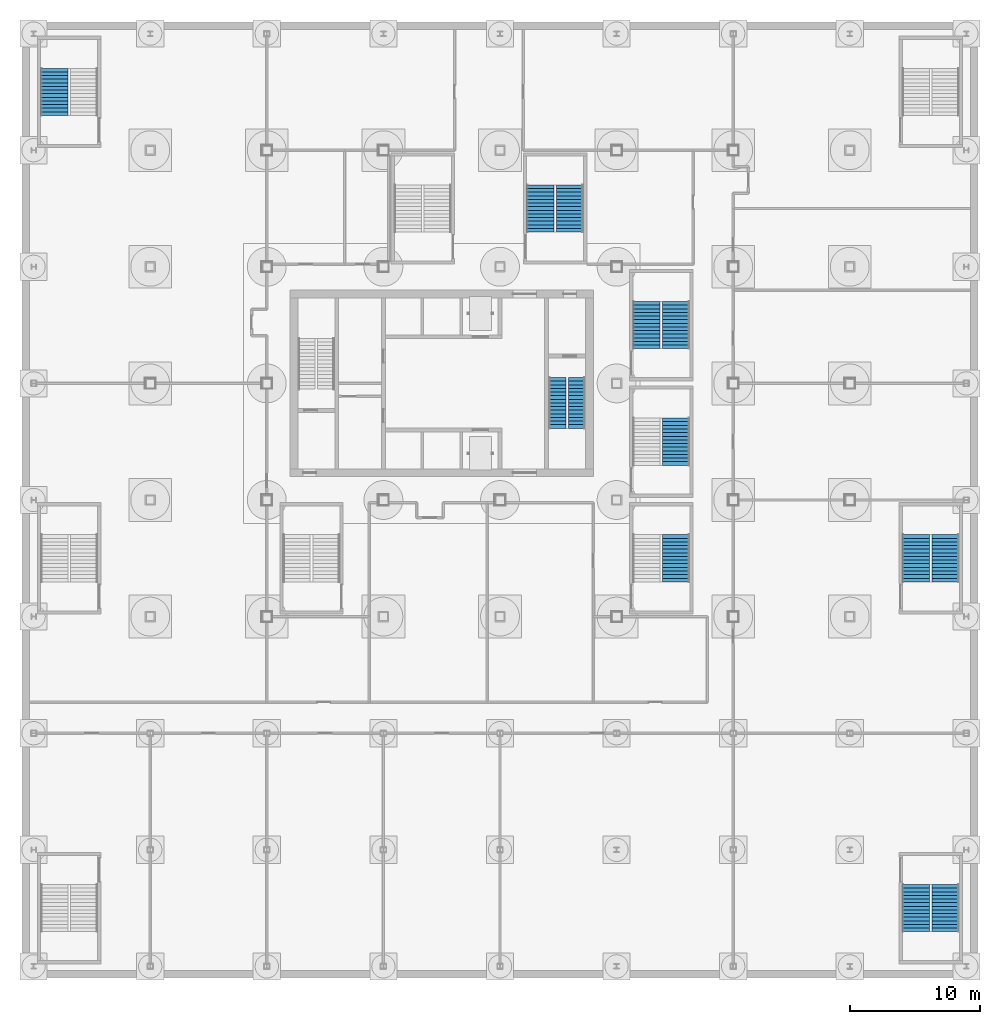
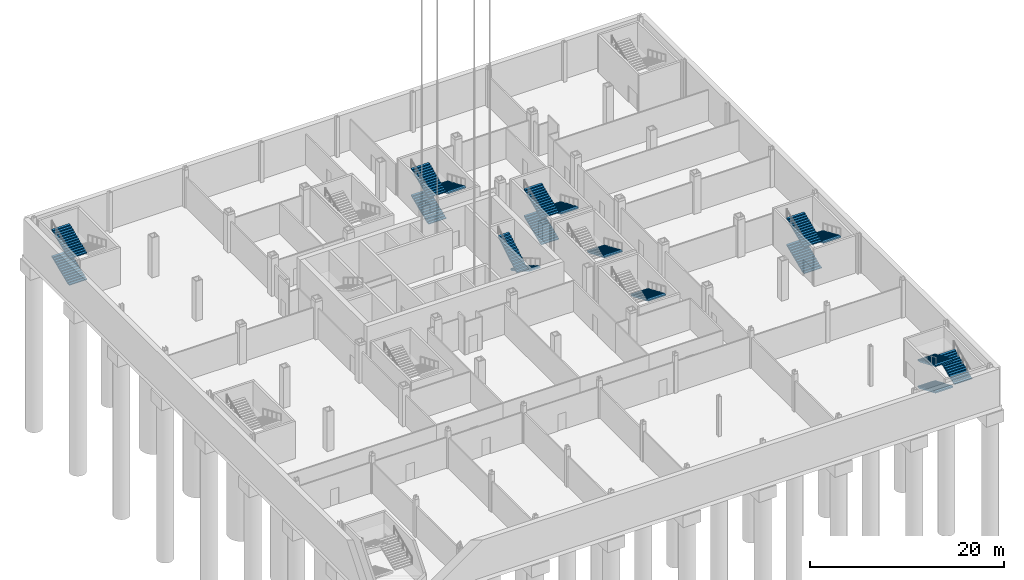
# One storey, part 14 of 28: 18 stair flights, 8 elements without a shape of their own.
"""IFC4 building model written with IfcOpenShell, lengths in metres."""

from ifc_helpers import new_model, si_unit, direction, frame, origin, place, context, subcontext, project, spatial, polyline, outline, extrude, material, type_object, element, aggregate, save


model = new_model("IFC4")

# Units and contexts
model_context = context("Model", 3, precision=1e-05, world=origin(), true_north=direction((0.0, 1.0)))
body_context = subcontext(model_context, "Body", "Model", "MODEL_VIEW")
ifc_project = project(units=[si_unit("LENGTHUNIT", "METRE"), si_unit("AREAUNIT", "SQUARE_METRE"), si_unit("VOLUMEUNIT", "CUBIC_METRE"), si_unit("PLANEANGLEUNIT", "RADIAN"), si_unit("MASSUNIT", "GRAM", prefix="KILO")], contexts=[model_context])

# Site, building, storey
site_placement = place(None, origin())
site = spatial("IfcSite", under=ifc_project, at=site_placement, CompositionType="ELEMENT")
building_placement = place(site_placement, origin())
building = spatial("IfcBuilding", under=site, at=building_placement, Name="Loomwork Tower", CompositionType="ELEMENT")
storey_placement = place(building_placement, frame((0.0, 0.0, -10.5)))
storey = spatial("IfcBuildingStorey", under=building, at=storey_placement, Name="B2", CompositionType="ELEMENT", Elevation=-10.5)

# Stair, stair flights
ifc_material_1 = material(Name="Concrete 5000 psi (34 MPa) precast stair", Category="concrete")
stair_type_1 = type_object("IfcStairType", Name="Stair ST-B 30 risers 2850 wide", PredefinedType="HALF_TURN_STAIR", material=ifc_material_1)
stair_1_placement = place(storey_placement, origin())
stair_1 = element("IfcStair", 1, at=stair_1_placement, inside=storey, type_object=stair_type_1, Name="Stair B B2", PredefinedType="HALF_TURN_STAIR")
ifc_material_2 = material(Name="Concrete 5000 psi (34 MPa) precast stair", Category="concrete")
stair_flight_type_1 = type_object("IfcStairFlightType", Name="Stair flight ST-B 15 risers 1300 wide", PredefinedType="STRAIGHT", material=ifc_material_2)
stair_flight_1_placement = place(storey_placement, frame((32.925048828125, 18.449951171875, 0.0), z_axis=(0.0, 0.0, 1.0), x_axis=(0.0, -1.0, 0.0)))
stair_flight_1 = element("IfcStairFlight", 2, at=stair_flight_1_placement, type_object=stair_flight_type_1, Name="ST-B flight 1", NumberOfRisers=15, NumberOfTreads=14, PredefinedType="STRAIGHT", RiserHeight=0.166666667, TreadLength=0.28, context=body_context, shape_type="SweptSolid", body=[
    extrude(outline(polyline([(0.0, 0.0), (0.0, 0.166748046875), (0.280029296875, 0.166748046875), (0.280029296875, 0.333251953125), (0.56005859375, 0.333251953125), (0.56005859375, 0.5), (0.840087890625, 0.5), (0.840087890625, 0.666748046875), (1.1201171875, 0.666748046875), (1.1201171875, 0.833251953125), (1.39990234375, 0.833251953125), (1.39990234375, 1.0), (1.679931640625, 1.0), (1.679931640625, 1.166748046875), (1.9599609375, 1.166748046875), (1.9599609375, 1.333251953125), (2.239990234375, 1.333251953125), (2.239990234375, 1.5), (2.52001953125, 1.5), (2.52001953125, 1.666748046875), (2.800048828125, 1.666748046875), (2.800048828125, 1.833251953125), (3.080078125, 1.833251953125), (3.080078125, 2.0), (3.360107421875, 2.0), (3.360107421875, 2.166748046875), (3.639892578125, 2.166748046875), (3.639892578125, 2.333251953125), (3.919921875, 2.333251953125), (3.919921875, 2.5), (3.919921875, 2.158935546875), (0.29296875, 0.0), (0.0, 0.0)])), frame((0.0, 0.64990234375, 0.0), z_axis=(0.0, -1.0, 0.0), x_axis=(1.0, 0.0, 0.0)), (0.0, 0.0, 1.0), 1.300048828125),
])
stair_flight_2_placement = place(storey_placement, frame((31.425048828125, 14.530029296875, 2.5), z_axis=(0.0, 0.0, 1.0), x_axis=(0.0, 1.0, 0.0)))
stair_flight_2 = element("IfcStairFlight", 3, at=stair_flight_2_placement, type_object=stair_flight_type_1, Name="ST-B flight 2", NumberOfRisers=15, NumberOfTreads=14, PredefinedType="STRAIGHT", RiserHeight=0.166666667, TreadLength=0.28, context=body_context, shape_type="SweptSolid", body=[
    extrude(outline(polyline([(0.0, 0.0), (0.0, 0.166748046875), (0.280029296875, 0.166748046875), (0.280029296875, 0.333251953125), (0.56005859375, 0.333251953125), (0.56005859375, 0.5), (0.840087890625, 0.5), (0.840087890625, 0.666748046875), (1.1201171875, 0.666748046875), (1.1201171875, 0.833251953125), (1.39990234375, 0.833251953125), (1.39990234375, 1.0), (1.679931640625, 1.0), (1.679931640625, 1.166748046875), (1.9599609375, 1.166748046875), (1.9599609375, 1.333251953125), (2.239990234375, 1.333251953125), (2.239990234375, 1.5), (2.52001953125, 1.5), (2.52001953125, 1.666748046875), (2.800048828125, 1.666748046875), (2.800048828125, 1.833251953125), (3.080078125, 1.833251953125), (3.080078125, 2.0), (3.360107421875, 2.0), (3.360107421875, 2.166748046875), (3.639892578125, 2.166748046875), (3.639892578125, 2.333251953125), (3.919921875, 2.333251953125), (3.919921875, 2.5), (3.919921875, 2.158935546875), (0.29296875, 0.0), (0.0, 0.0)])), frame((0.0, 0.64990234375, 0.0), z_axis=(0.0, -1.0, 0.0), x_axis=(1.0, 0.0, 0.0)), (0.0, 0.0, 1.0), 1.300048828125),
])
aggregate(stair_1, [stair_flight_1, stair_flight_2])

ifc_material_3 = material(Name="Concrete 5000 psi (34 MPa) precast stair", Category="concrete")
stair_type_2 = type_object("IfcStairType", Name="Stair ST-S11P 42 risers of 119 4400 wide", PredefinedType="HALF_TURN_STAIR", material=ifc_material_3)
stair_2_placement = place(storey_placement, origin())
stair_2 = element("IfcStair", 4, at=stair_2_placement, inside=storey, type_object=stair_type_2, Name="Podium stair PS11 B2", PredefinedType="HALF_TURN_STAIR")
ifc_material_4 = material(Name="Concrete 5000 psi (34 MPa) precast stair", Category="concrete")
stair_flight_type_2 = type_object("IfcStairFlightType", Name="Stair flight ST-S11P 14 risers of 119 2100 wide", PredefinedType="STRAIGHT", material=ifc_material_4)
stair_flight_3_placement = place(storey_placement, frame((30.10009765625, 29.679931640625, 0.0), z_axis=(0.0, 0.0, 1.0), x_axis=(0.0, 1.0, 0.0)))
stair_flight_3 = element("IfcStairFlight", 5, at=stair_flight_3_placement, type_object=stair_flight_type_2, Name="ST-S11P flight 1", NumberOfRisers=14, NumberOfTreads=13, PredefinedType="STRAIGHT", RiserHeight=0.119047619, TreadLength=0.28, context=body_context, shape_type="SweptSolid", body=[
    extrude(outline(polyline([(0.0, 0.0), (0.0, 0.119140625), (0.280029296875, 0.119140625), (0.280029296875, 0.238037109375), (0.56005859375, 0.238037109375), (0.56005859375, 0.357177734375), (0.840087890625, 0.357177734375), (0.840087890625, 0.47607421875), (1.1201171875, 0.47607421875), (1.1201171875, 0.59521484375), (1.39990234375, 0.59521484375), (1.39990234375, 0.71435546875), (1.679931640625, 0.71435546875), (1.679931640625, 0.833251953125), (1.9599609375, 0.833251953125), (1.9599609375, 0.952392578125), (2.239990234375, 0.952392578125), (2.239990234375, 1.071533203125), (2.52001953125, 1.071533203125), (2.52001953125, 1.1904296875), (2.800048828125, 1.1904296875), (2.800048828125, 1.3095703125), (3.080078125, 1.3095703125), (3.080078125, 1.428466796875), (3.360107421875, 1.428466796875), (3.360107421875, 1.547607421875), (3.639892578125, 1.547607421875), (3.639892578125, 1.666748046875), (3.639892578125, 1.384765625), (0.383056640625, 0.0), (0.0, 0.0)])), frame((0.0, 1.050048828125, 0.0), z_axis=(0.0, -1.0, 0.0), x_axis=(1.0, 0.0, 0.0)), (0.0, 0.0, 1.0), 2.10009765625),
])
stair_flight_4_placement = place(storey_placement, frame((32.39990234375, 33.320068359375, 1.666748046875), z_axis=(0.0, 0.0, 1.0), x_axis=(0.0, -1.0, 0.0)))
stair_flight_4 = element("IfcStairFlight", 6, at=stair_flight_4_placement, type_object=stair_flight_type_2, Name="ST-S11P flight 2", NumberOfRisers=14, NumberOfTreads=13, PredefinedType="STRAIGHT", RiserHeight=0.119047619, TreadLength=0.28, context=body_context, shape_type="SweptSolid", body=[
    extrude(outline(polyline([(0.0, 0.0), (0.0, 0.119140625), (0.280029296875, 0.119140625), (0.280029296875, 0.238037109375), (0.56005859375, 0.238037109375), (0.56005859375, 0.357177734375), (0.840087890625, 0.357177734375), (0.840087890625, 0.47607421875), (1.1201171875, 0.47607421875), (1.1201171875, 0.59521484375), (1.39990234375, 0.59521484375), (1.39990234375, 0.71435546875), (1.679931640625, 0.71435546875), (1.679931640625, 0.833251953125), (1.9599609375, 0.833251953125), (1.9599609375, 0.952392578125), (2.239990234375, 0.952392578125), (2.239990234375, 1.071533203125), (2.52001953125, 1.071533203125), (2.52001953125, 1.1904296875), (2.800048828125, 1.1904296875), (2.800048828125, 1.3095703125), (3.080078125, 1.3095703125), (3.080078125, 1.428466796875), (3.360107421875, 1.428466796875), (3.360107421875, 1.547607421875), (3.639892578125, 1.547607421875), (3.639892578125, 1.666748046875), (3.639892578125, 1.384765625), (0.383056640625, 0.0), (0.0, 0.0)])), frame((0.0, 1.050048828125, 0.0), z_axis=(0.0, -1.0, 0.0), x_axis=(1.0, 0.0, 0.0)), (0.0, 0.0, 1.0), 2.10009765625),
])
stair_flight_5_placement = place(storey_placement, frame((30.10009765625, 29.679931640625, 3.333251953125), z_axis=(0.0, 0.0, 1.0), x_axis=(0.0, 1.0, 0.0)))
stair_flight_5 = element("IfcStairFlight", 7, at=stair_flight_5_placement, type_object=stair_flight_type_2, Name="ST-S11P flight 3", NumberOfRisers=14, NumberOfTreads=13, PredefinedType="STRAIGHT", RiserHeight=0.119047619, TreadLength=0.28, context=body_context, shape_type="SweptSolid", body=[
    extrude(outline(polyline([(0.0, 0.0), (0.0, 0.119140625), (0.280029296875, 0.119140625), (0.280029296875, 0.238037109375), (0.56005859375, 0.238037109375), (0.56005859375, 0.357177734375), (0.840087890625, 0.357177734375), (0.840087890625, 0.47607421875), (1.1201171875, 0.47607421875), (1.1201171875, 0.59521484375), (1.39990234375, 0.59521484375), (1.39990234375, 0.71435546875), (1.679931640625, 0.71435546875), (1.679931640625, 0.833251953125), (1.9599609375, 0.833251953125), (1.9599609375, 0.952392578125), (2.239990234375, 0.952392578125), (2.239990234375, 1.071533203125), (2.52001953125, 1.071533203125), (2.52001953125, 1.1904296875), (2.800048828125, 1.1904296875), (2.800048828125, 1.3095703125), (3.080078125, 1.3095703125), (3.080078125, 1.428466796875), (3.360107421875, 1.428466796875), (3.360107421875, 1.547607421875), (3.639892578125, 1.547607421875), (3.639892578125, 1.666748046875), (3.639892578125, 1.384765625), (0.383056640625, 0.0), (0.0, 0.0)])), frame((0.0, 1.050048828125, 0.0), z_axis=(0.0, -1.0, 0.0), x_axis=(1.0, 0.0, 0.0)), (0.0, 0.0, 1.0), 2.10009765625),
])
aggregate(stair_2, [stair_flight_3, stair_flight_4, stair_flight_5])

ifc_material_5 = material(Name="Concrete 5000 psi (34 MPa) precast stair", Category="concrete")
stair_type_3 = type_object("IfcStairType", Name="Stair ST-S2P 42 risers of 119 4400 wide", PredefinedType="HALF_TURN_STAIR", material=ifc_material_5)
stair_3_placement = place(storey_placement, origin())
stair_3 = element("IfcStair", 8, at=stair_3_placement, inside=storey, type_object=stair_type_3, Name="Podium stair PS2 B2", PredefinedType="HALF_TURN_STAIR")
ifc_material_6 = material(Name="Concrete 5000 psi (34 MPa) precast stair", Category="concrete")
stair_flight_type_3 = type_object("IfcStairFlightType", Name="Stair flight ST-S2P 14 risers of 119 2100 wide", PredefinedType="STRAIGHT", material=ifc_material_6)
stair_flight_6_placement = place(storey_placement, frame((59.10009765625, -20.679931640625, 0.0), z_axis=(0.0, 0.0, 1.0), x_axis=(0.0, -1.0, 0.0)))
stair_flight_6 = element("IfcStairFlight", 9, at=stair_flight_6_placement, type_object=stair_flight_type_3, Name="ST-S2P flight 1", NumberOfRisers=14, NumberOfTreads=13, PredefinedType="STRAIGHT", RiserHeight=0.119047619, TreadLength=0.28, context=body_context, shape_type="SweptSolid", body=[
    extrude(outline(polyline([(0.0, 0.0), (0.0, 0.119140625), (0.280029296875, 0.119140625), (0.280029296875, 0.238037109375), (0.56005859375, 0.238037109375), (0.56005859375, 0.357177734375), (0.840087890625, 0.357177734375), (0.840087890625, 0.47607421875), (1.1201171875, 0.47607421875), (1.1201171875, 0.59521484375), (1.39990234375, 0.59521484375), (1.39990234375, 0.71435546875), (1.679931640625, 0.71435546875), (1.679931640625, 0.833251953125), (1.9599609375, 0.833251953125), (1.9599609375, 0.952392578125), (2.239990234375, 0.952392578125), (2.239990234375, 1.071533203125), (2.52001953125, 1.071533203125), (2.52001953125, 1.1904296875), (2.800048828125, 1.1904296875), (2.800048828125, 1.3095703125), (3.080078125, 1.3095703125), (3.080078125, 1.428466796875), (3.360107421875, 1.428466796875), (3.360107421875, 1.547607421875), (3.639892578125, 1.547607421875), (3.639892578125, 1.666748046875), (3.639892578125, 1.384765625), (0.383056640625, 0.0), (0.0, 0.0)])), frame((0.0, 1.050048828125, 0.0), z_axis=(0.0, -1.0, 0.0), x_axis=(1.0, 0.0, 0.0)), (0.0, 0.0, 1.0), 2.10009765625),
])
stair_flight_7_placement = place(storey_placement, frame((61.39990234375, -24.320068359375, 1.666748046875), z_axis=(0.0, 0.0, 1.0), x_axis=(0.0, 1.0, 0.0)))
stair_flight_7 = element("IfcStairFlight", 10, at=stair_flight_7_placement, type_object=stair_flight_type_3, Name="ST-S2P flight 2", NumberOfRisers=14, NumberOfTreads=13, PredefinedType="STRAIGHT", RiserHeight=0.119047619, TreadLength=0.28, context=body_context, shape_type="SweptSolid", body=[
    extrude(outline(polyline([(0.0, 0.0), (0.0, 0.119140625), (0.280029296875, 0.119140625), (0.280029296875, 0.238037109375), (0.56005859375, 0.238037109375), (0.56005859375, 0.357177734375), (0.840087890625, 0.357177734375), (0.840087890625, 0.47607421875), (1.1201171875, 0.47607421875), (1.1201171875, 0.59521484375), (1.39990234375, 0.59521484375), (1.39990234375, 0.71435546875), (1.679931640625, 0.71435546875), (1.679931640625, 0.833251953125), (1.9599609375, 0.833251953125), (1.9599609375, 0.952392578125), (2.239990234375, 0.952392578125), (2.239990234375, 1.071533203125), (2.52001953125, 1.071533203125), (2.52001953125, 1.1904296875), (2.800048828125, 1.1904296875), (2.800048828125, 1.3095703125), (3.080078125, 1.3095703125), (3.080078125, 1.428466796875), (3.360107421875, 1.428466796875), (3.360107421875, 1.547607421875), (3.639892578125, 1.547607421875), (3.639892578125, 1.666748046875), (3.639892578125, 1.384765625), (0.383056640625, 0.0), (0.0, 0.0)])), frame((0.0, 1.050048828125, 0.0), z_axis=(0.0, -1.0, 0.0), x_axis=(1.0, 0.0, 0.0)), (0.0, 0.0, 1.0), 2.10009765625),
])
stair_flight_8_placement = place(storey_placement, frame((59.10009765625, -20.679931640625, 3.333251953125), z_axis=(0.0, 0.0, 1.0), x_axis=(0.0, -1.0, 0.0)))
stair_flight_8 = element("IfcStairFlight", 11, at=stair_flight_8_placement, type_object=stair_flight_type_3, Name="ST-S2P flight 3", NumberOfRisers=14, NumberOfTreads=13, PredefinedType="STRAIGHT", RiserHeight=0.119047619, TreadLength=0.28, context=body_context, shape_type="SweptSolid", body=[
    extrude(outline(polyline([(0.0, 0.0), (0.0, 0.119140625), (0.280029296875, 0.119140625), (0.280029296875, 0.238037109375), (0.56005859375, 0.238037109375), (0.56005859375, 0.357177734375), (0.840087890625, 0.357177734375), (0.840087890625, 0.47607421875), (1.1201171875, 0.47607421875), (1.1201171875, 0.59521484375), (1.39990234375, 0.59521484375), (1.39990234375, 0.71435546875), (1.679931640625, 0.71435546875), (1.679931640625, 0.833251953125), (1.9599609375, 0.833251953125), (1.9599609375, 0.952392578125), (2.239990234375, 0.952392578125), (2.239990234375, 1.071533203125), (2.52001953125, 1.071533203125), (2.52001953125, 1.1904296875), (2.800048828125, 1.1904296875), (2.800048828125, 1.3095703125), (3.080078125, 1.3095703125), (3.080078125, 1.428466796875), (3.360107421875, 1.428466796875), (3.360107421875, 1.547607421875), (3.639892578125, 1.547607421875), (3.639892578125, 1.666748046875), (3.639892578125, 1.384765625), (0.383056640625, 0.0), (0.0, 0.0)])), frame((0.0, 1.050048828125, 0.0), z_axis=(0.0, -1.0, 0.0), x_axis=(1.0, 0.0, 0.0)), (0.0, 0.0, 1.0), 2.10009765625),
])
aggregate(stair_3, [stair_flight_6, stair_flight_7, stair_flight_8])

ifc_material_7 = material(Name="Concrete 5000 psi (34 MPa) precast stair", Category="concrete")
stair_type_4 = type_object("IfcStairType", Name="Stair ST-S3P 42 risers of 119 4400 wide", PredefinedType="HALF_TURN_STAIR", material=ifc_material_7)
stair_4_placement = place(storey_placement, origin())
stair_4 = element("IfcStair", 12, at=stair_4_placement, inside=storey, type_object=stair_type_4, Name="Podium stair PS3 B2", PredefinedType="HALF_TURN_STAIR")
ifc_material_8 = material(Name="Concrete 5000 psi (34 MPa) precast stair", Category="concrete")
stair_flight_type_4 = type_object("IfcStairFlightType", Name="Stair flight ST-S3P 14 risers of 119 2100 wide", PredefinedType="STRAIGHT", material=ifc_material_8)
stair_flight_9_placement = place(storey_placement, frame((-7.39990234375, 38.679931640625, 0.0), z_axis=(0.0, 0.0, 1.0), x_axis=(0.0, 1.0, 0.0)))
stair_flight_9 = element("IfcStairFlight", 13, at=stair_flight_9_placement, type_object=stair_flight_type_4, Name="ST-S3P flight 1", NumberOfRisers=14, NumberOfTreads=13, PredefinedType="STRAIGHT", RiserHeight=0.119047619, TreadLength=0.28, context=body_context, shape_type="SweptSolid", body=[
    extrude(outline(polyline([(0.0, 0.0), (0.0, 0.119140625), (0.280029296875, 0.119140625), (0.280029296875, 0.238037109375), (0.56005859375, 0.238037109375), (0.56005859375, 0.357177734375), (0.840087890625, 0.357177734375), (0.840087890625, 0.47607421875), (1.1201171875, 0.47607421875), (1.1201171875, 0.59521484375), (1.39990234375, 0.59521484375), (1.39990234375, 0.71435546875), (1.679931640625, 0.71435546875), (1.679931640625, 0.833251953125), (1.9599609375, 0.833251953125), (1.9599609375, 0.952392578125), (2.239990234375, 0.952392578125), (2.239990234375, 1.071533203125), (2.52001953125, 1.071533203125), (2.52001953125, 1.1904296875), (2.800048828125, 1.1904296875), (2.800048828125, 1.3095703125), (3.080078125, 1.3095703125), (3.080078125, 1.428466796875), (3.360107421875, 1.428466796875), (3.360107421875, 1.547607421875), (3.639892578125, 1.547607421875), (3.639892578125, 1.666748046875), (3.639892578125, 1.384765625), (0.383056640625, 0.0), (0.0, 0.0)])), frame((0.0, 1.050048828125, 0.0), z_axis=(0.0, -1.0, 0.0), x_axis=(1.0, 0.0, 0.0)), (0.0, 0.0, 1.0), 2.10009765625),
])
stair_flight_10_placement = place(storey_placement, frame((-7.39990234375, 38.679931640625, 3.333251953125), z_axis=(0.0, 0.0, 1.0), x_axis=(0.0, 1.0, 0.0)))
stair_flight_10 = element("IfcStairFlight", 14, at=stair_flight_10_placement, type_object=stair_flight_type_4, Name="ST-S3P flight 3", NumberOfRisers=14, NumberOfTreads=13, PredefinedType="STRAIGHT", RiserHeight=0.119047619, TreadLength=0.28, context=body_context, shape_type="SweptSolid", body=[
    extrude(outline(polyline([(0.0, 0.0), (0.0, 0.119140625), (0.280029296875, 0.119140625), (0.280029296875, 0.238037109375), (0.56005859375, 0.238037109375), (0.56005859375, 0.357177734375), (0.840087890625, 0.357177734375), (0.840087890625, 0.47607421875), (1.1201171875, 0.47607421875), (1.1201171875, 0.59521484375), (1.39990234375, 0.59521484375), (1.39990234375, 0.71435546875), (1.679931640625, 0.71435546875), (1.679931640625, 0.833251953125), (1.9599609375, 0.833251953125), (1.9599609375, 0.952392578125), (2.239990234375, 0.952392578125), (2.239990234375, 1.071533203125), (2.52001953125, 1.071533203125), (2.52001953125, 1.1904296875), (2.800048828125, 1.1904296875), (2.800048828125, 1.3095703125), (3.080078125, 1.3095703125), (3.080078125, 1.428466796875), (3.360107421875, 1.428466796875), (3.360107421875, 1.547607421875), (3.639892578125, 1.547607421875), (3.639892578125, 1.666748046875), (3.639892578125, 1.384765625), (0.383056640625, 0.0), (0.0, 0.0)])), frame((0.0, 1.050048828125, 0.0), z_axis=(0.0, -1.0, 0.0), x_axis=(1.0, 0.0, 0.0)), (0.0, 0.0, 1.0), 2.10009765625),
])
aggregate(stair_4, [stair_flight_9, stair_flight_10])

ifc_material_9 = material(Name="Concrete 5000 psi (34 MPa) precast stair", Category="concrete")
stair_type_5 = type_object("IfcStairType", Name="Stair ST-S6P 42 risers of 119 4400 wide", PredefinedType="HALF_TURN_STAIR", material=ifc_material_9)
stair_5_placement = place(storey_placement, origin())
stair_5 = element("IfcStair", 15, at=stair_5_placement, inside=storey, type_object=stair_type_5, Name="Podium stair PS6 B2", PredefinedType="HALF_TURN_STAIR")
ifc_material_10 = material(Name="Concrete 5000 psi (34 MPa) precast stair", Category="concrete")
stair_flight_type_5 = type_object("IfcStairFlightType", Name="Stair flight ST-S6P 14 risers of 119 2100 wide", PredefinedType="STRAIGHT", material=ifc_material_10)
stair_flight_11_placement = place(storey_placement, frame((59.10009765625, 2.679931640625, 0.0), z_axis=(0.0, 0.0, 1.0), x_axis=(0.0, 1.0, 0.0)))
stair_flight_11 = element("IfcStairFlight", 16, at=stair_flight_11_placement, type_object=stair_flight_type_5, Name="ST-S6P flight 1", NumberOfRisers=14, NumberOfTreads=13, PredefinedType="STRAIGHT", RiserHeight=0.119047619, TreadLength=0.28, context=body_context, shape_type="SweptSolid", body=[
    extrude(outline(polyline([(0.0, 0.0), (0.0, 0.119140625), (0.280029296875, 0.119140625), (0.280029296875, 0.238037109375), (0.56005859375, 0.238037109375), (0.56005859375, 0.357177734375), (0.840087890625, 0.357177734375), (0.840087890625, 0.47607421875), (1.1201171875, 0.47607421875), (1.1201171875, 0.59521484375), (1.39990234375, 0.59521484375), (1.39990234375, 0.71435546875), (1.679931640625, 0.71435546875), (1.679931640625, 0.833251953125), (1.9599609375, 0.833251953125), (1.9599609375, 0.952392578125), (2.239990234375, 0.952392578125), (2.239990234375, 1.071533203125), (2.52001953125, 1.071533203125), (2.52001953125, 1.1904296875), (2.800048828125, 1.1904296875), (2.800048828125, 1.3095703125), (3.080078125, 1.3095703125), (3.080078125, 1.428466796875), (3.360107421875, 1.428466796875), (3.360107421875, 1.547607421875), (3.639892578125, 1.547607421875), (3.639892578125, 1.666748046875), (3.639892578125, 1.384765625), (0.383056640625, 0.0), (0.0, 0.0)])), frame((0.0, 1.050048828125, 0.0), z_axis=(0.0, -1.0, 0.0), x_axis=(1.0, 0.0, 0.0)), (0.0, 0.0, 1.0), 2.10009765625),
])
stair_flight_12_placement = place(storey_placement, frame((61.39990234375, 6.320068359375, 1.666748046875), z_axis=(0.0, 0.0, 1.0), x_axis=(0.0, -1.0, 0.0)))
stair_flight_12 = element("IfcStairFlight", 17, at=stair_flight_12_placement, type_object=stair_flight_type_5, Name="ST-S6P flight 2", NumberOfRisers=14, NumberOfTreads=13, PredefinedType="STRAIGHT", RiserHeight=0.119047619, TreadLength=0.28, context=body_context, shape_type="SweptSolid", body=[
    extrude(outline(polyline([(0.0, 0.0), (0.0, 0.119140625), (0.280029296875, 0.119140625), (0.280029296875, 0.238037109375), (0.56005859375, 0.238037109375), (0.56005859375, 0.357177734375), (0.840087890625, 0.357177734375), (0.840087890625, 0.47607421875), (1.1201171875, 0.47607421875), (1.1201171875, 0.59521484375), (1.39990234375, 0.59521484375), (1.39990234375, 0.71435546875), (1.679931640625, 0.71435546875), (1.679931640625, 0.833251953125), (1.9599609375, 0.833251953125), (1.9599609375, 0.952392578125), (2.239990234375, 0.952392578125), (2.239990234375, 1.071533203125), (2.52001953125, 1.071533203125), (2.52001953125, 1.1904296875), (2.800048828125, 1.1904296875), (2.800048828125, 1.3095703125), (3.080078125, 1.3095703125), (3.080078125, 1.428466796875), (3.360107421875, 1.428466796875), (3.360107421875, 1.547607421875), (3.639892578125, 1.547607421875), (3.639892578125, 1.666748046875), (3.639892578125, 1.384765625), (0.383056640625, 0.0), (0.0, 0.0)])), frame((0.0, 1.050048828125, 0.0), z_axis=(0.0, -1.0, 0.0), x_axis=(1.0, 0.0, 0.0)), (0.0, 0.0, 1.0), 2.10009765625),
])
stair_flight_13_placement = place(storey_placement, frame((59.10009765625, 2.679931640625, 3.333251953125), z_axis=(0.0, 0.0, 1.0), x_axis=(0.0, 1.0, 0.0)))
stair_flight_13 = element("IfcStairFlight", 18, at=stair_flight_13_placement, type_object=stair_flight_type_5, Name="ST-S6P flight 3", NumberOfRisers=14, NumberOfTreads=13, PredefinedType="STRAIGHT", RiserHeight=0.119047619, TreadLength=0.28, context=body_context, shape_type="SweptSolid", body=[
    extrude(outline(polyline([(0.0, 0.0), (0.0, 0.119140625), (0.280029296875, 0.119140625), (0.280029296875, 0.238037109375), (0.56005859375, 0.238037109375), (0.56005859375, 0.357177734375), (0.840087890625, 0.357177734375), (0.840087890625, 0.47607421875), (1.1201171875, 0.47607421875), (1.1201171875, 0.59521484375), (1.39990234375, 0.59521484375), (1.39990234375, 0.71435546875), (1.679931640625, 0.71435546875), (1.679931640625, 0.833251953125), (1.9599609375, 0.833251953125), (1.9599609375, 0.952392578125), (2.239990234375, 0.952392578125), (2.239990234375, 1.071533203125), (2.52001953125, 1.071533203125), (2.52001953125, 1.1904296875), (2.800048828125, 1.1904296875), (2.800048828125, 1.3095703125), (3.080078125, 1.3095703125), (3.080078125, 1.428466796875), (3.360107421875, 1.428466796875), (3.360107421875, 1.547607421875), (3.639892578125, 1.547607421875), (3.639892578125, 1.666748046875), (3.639892578125, 1.384765625), (0.383056640625, 0.0), (0.0, 0.0)])), frame((0.0, 1.050048828125, 0.0), z_axis=(0.0, -1.0, 0.0), x_axis=(1.0, 0.0, 0.0)), (0.0, 0.0, 1.0), 2.10009765625),
])
aggregate(stair_5, [stair_flight_11, stair_flight_12, stair_flight_13])

# Stair, stair flight
ifc_material_11 = material(Name="Concrete 5000 psi (34 MPa) precast stair", Category="concrete")
stair_type_6 = type_object("IfcStairType", Name="Stair ST-S7P 42 risers of 119 4400 wide", PredefinedType="HALF_TURN_STAIR", material=ifc_material_11)
stair_6_placement = place(storey_placement, origin())
stair_6 = element("IfcStair", 19, at=stair_6_placement, inside=storey, type_object=stair_type_6, Name="Podium stair PS7 B2", PredefinedType="HALF_TURN_STAIR")
ifc_material_12 = material(Name="Concrete 5000 psi (34 MPa) precast stair", Category="concrete")
stair_flight_type_6 = type_object("IfcStairFlightType", Name="Stair flight ST-S7P 14 risers of 119 2100 wide", PredefinedType="STRAIGHT", material=ifc_material_12)
stair_flight_14_placement = place(storey_placement, frame((40.60009765625, 6.320068359375, 1.666748046875), z_axis=(0.0, 0.0, 1.0), x_axis=(0.0, -1.0, 0.0)))
stair_flight_14 = element("IfcStairFlight", 20, at=stair_flight_14_placement, type_object=stair_flight_type_6, Name="ST-S7P flight 2", NumberOfRisers=14, NumberOfTreads=13, PredefinedType="STRAIGHT", RiserHeight=0.119047619, TreadLength=0.28, context=body_context, shape_type="SweptSolid", body=[
    extrude(outline(polyline([(0.0, 0.0), (0.0, 0.119140625), (0.280029296875, 0.119140625), (0.280029296875, 0.238037109375), (0.56005859375, 0.238037109375), (0.56005859375, 0.357177734375), (0.840087890625, 0.357177734375), (0.840087890625, 0.47607421875), (1.1201171875, 0.47607421875), (1.1201171875, 0.59521484375), (1.39990234375, 0.59521484375), (1.39990234375, 0.71435546875), (1.679931640625, 0.71435546875), (1.679931640625, 0.833251953125), (1.9599609375, 0.833251953125), (1.9599609375, 0.952392578125), (2.239990234375, 0.952392578125), (2.239990234375, 1.071533203125), (2.52001953125, 1.071533203125), (2.52001953125, 1.1904296875), (2.800048828125, 1.1904296875), (2.800048828125, 1.3095703125), (3.080078125, 1.3095703125), (3.080078125, 1.428466796875), (3.360107421875, 1.428466796875), (3.360107421875, 1.547607421875), (3.639892578125, 1.547607421875), (3.639892578125, 1.666748046875), (3.639892578125, 1.384765625), (0.383056640625, 0.0), (0.0, 0.0)])), frame((0.0, 1.050048828125, 0.0), z_axis=(0.0, -1.0, 0.0), x_axis=(1.0, 0.0, 0.0)), (0.0, 0.0, 1.0), 2.10009765625),
])
aggregate(stair_6, [stair_flight_14])

ifc_material_13 = material(Name="Concrete 5000 psi (34 MPa) precast stair", Category="concrete")
stair_type_7 = type_object("IfcStairType", Name="Stair ST-S8P 42 risers of 119 4400 wide", PredefinedType="HALF_TURN_STAIR", material=ifc_material_13)
stair_7_placement = place(storey_placement, origin())
stair_7 = element("IfcStair", 21, at=stair_7_placement, inside=storey, type_object=stair_type_7, Name="Podium stair PS8 B2", PredefinedType="HALF_TURN_STAIR")
ifc_material_14 = material(Name="Concrete 5000 psi (34 MPa) precast stair", Category="concrete")
stair_flight_type_7 = type_object("IfcStairFlightType", Name="Stair flight ST-S8P 14 risers of 119 2100 wide", PredefinedType="STRAIGHT", material=ifc_material_14)
stair_flight_15_placement = place(storey_placement, frame((40.60009765625, 15.320068359375, 1.666748046875), z_axis=(0.0, 0.0, 1.0), x_axis=(0.0, -1.0, 0.0)))
stair_flight_15 = element("IfcStairFlight", 22, at=stair_flight_15_placement, type_object=stair_flight_type_7, Name="ST-S8P flight 2", NumberOfRisers=14, NumberOfTreads=13, PredefinedType="STRAIGHT", RiserHeight=0.119047619, TreadLength=0.28, context=body_context, shape_type="SweptSolid", body=[
    extrude(outline(polyline([(0.0, 0.0), (0.0, 0.119140625), (0.280029296875, 0.119140625), (0.280029296875, 0.238037109375), (0.56005859375, 0.238037109375), (0.56005859375, 0.357177734375), (0.840087890625, 0.357177734375), (0.840087890625, 0.47607421875), (1.1201171875, 0.47607421875), (1.1201171875, 0.59521484375), (1.39990234375, 0.59521484375), (1.39990234375, 0.71435546875), (1.679931640625, 0.71435546875), (1.679931640625, 0.833251953125), (1.9599609375, 0.833251953125), (1.9599609375, 0.952392578125), (2.239990234375, 0.952392578125), (2.239990234375, 1.071533203125), (2.52001953125, 1.071533203125), (2.52001953125, 1.1904296875), (2.800048828125, 1.1904296875), (2.800048828125, 1.3095703125), (3.080078125, 1.3095703125), (3.080078125, 1.428466796875), (3.360107421875, 1.428466796875), (3.360107421875, 1.547607421875), (3.639892578125, 1.547607421875), (3.639892578125, 1.666748046875), (3.639892578125, 1.384765625), (0.383056640625, 0.0), (0.0, 0.0)])), frame((0.0, 1.050048828125, 0.0), z_axis=(0.0, -1.0, 0.0), x_axis=(1.0, 0.0, 0.0)), (0.0, 0.0, 1.0), 2.10009765625),
])
aggregate(stair_7, [stair_flight_15])

# Stair, stair flights
ifc_material_15 = material(Name="Concrete 5000 psi (34 MPa) precast stair", Category="concrete")
stair_type_8 = type_object("IfcStairType", Name="Stair ST-S9P 42 risers of 119 4400 wide", PredefinedType="HALF_TURN_STAIR", material=ifc_material_15)
stair_8_placement = place(storey_placement, origin())
stair_8 = element("IfcStair", 23, at=stair_8_placement, inside=storey, type_object=stair_type_8, Name="Podium stair PS9 B2", PredefinedType="HALF_TURN_STAIR")
ifc_material_16 = material(Name="Concrete 5000 psi (34 MPa) precast stair", Category="concrete")
stair_flight_type_8 = type_object("IfcStairFlightType", Name="Stair flight ST-S9P 14 risers of 119 2100 wide", PredefinedType="STRAIGHT", material=ifc_material_16)
stair_flight_16_placement = place(storey_placement, frame((38.300048828125, 20.679931640625, 0.0), z_axis=(0.0, 0.0, 1.0), x_axis=(0.0, 1.0, 0.0)))
stair_flight_16 = element("IfcStairFlight", 24, at=stair_flight_16_placement, type_object=stair_flight_type_8, Name="ST-S9P flight 1", NumberOfRisers=14, NumberOfTreads=13, PredefinedType="STRAIGHT", RiserHeight=0.119047619, TreadLength=0.28, context=body_context, shape_type="SweptSolid", body=[
    extrude(outline(polyline([(0.0, 0.0), (0.0, 0.119140625), (0.280029296875, 0.119140625), (0.280029296875, 0.238037109375), (0.56005859375, 0.238037109375), (0.56005859375, 0.357177734375), (0.840087890625, 0.357177734375), (0.840087890625, 0.47607421875), (1.1201171875, 0.47607421875), (1.1201171875, 0.59521484375), (1.39990234375, 0.59521484375), (1.39990234375, 0.71435546875), (1.679931640625, 0.71435546875), (1.679931640625, 0.833251953125), (1.9599609375, 0.833251953125), (1.9599609375, 0.952392578125), (2.239990234375, 0.952392578125), (2.239990234375, 1.071533203125), (2.52001953125, 1.071533203125), (2.52001953125, 1.1904296875), (2.800048828125, 1.1904296875), (2.800048828125, 1.3095703125), (3.080078125, 1.3095703125), (3.080078125, 1.428466796875), (3.360107421875, 1.428466796875), (3.360107421875, 1.547607421875), (3.639892578125, 1.547607421875), (3.639892578125, 1.666748046875), (3.639892578125, 1.384765625), (0.383056640625, 0.0), (0.0, 0.0)])), frame((0.0, 1.050048828125, 0.0), z_axis=(0.0, -1.0, 0.0), x_axis=(1.0, 0.0, 0.0)), (0.0, 0.0, 1.0), 2.10009765625),
])
stair_flight_17_placement = place(storey_placement, frame((40.60009765625, 24.320068359375, 1.666748046875), z_axis=(0.0, 0.0, 1.0), x_axis=(0.0, -1.0, 0.0)))
stair_flight_17 = element("IfcStairFlight", 25, at=stair_flight_17_placement, type_object=stair_flight_type_8, Name="ST-S9P flight 2", NumberOfRisers=14, NumberOfTreads=13, PredefinedType="STRAIGHT", RiserHeight=0.119047619, TreadLength=0.28, context=body_context, shape_type="SweptSolid", body=[
    extrude(outline(polyline([(0.0, 0.0), (0.0, 0.119140625), (0.280029296875, 0.119140625), (0.280029296875, 0.238037109375), (0.56005859375, 0.238037109375), (0.56005859375, 0.357177734375), (0.840087890625, 0.357177734375), (0.840087890625, 0.47607421875), (1.1201171875, 0.47607421875), (1.1201171875, 0.59521484375), (1.39990234375, 0.59521484375), (1.39990234375, 0.71435546875), (1.679931640625, 0.71435546875), (1.679931640625, 0.833251953125), (1.9599609375, 0.833251953125), (1.9599609375, 0.952392578125), (2.239990234375, 0.952392578125), (2.239990234375, 1.071533203125), (2.52001953125, 1.071533203125), (2.52001953125, 1.1904296875), (2.800048828125, 1.1904296875), (2.800048828125, 1.3095703125), (3.080078125, 1.3095703125), (3.080078125, 1.428466796875), (3.360107421875, 1.428466796875), (3.360107421875, 1.547607421875), (3.639892578125, 1.547607421875), (3.639892578125, 1.666748046875), (3.639892578125, 1.384765625), (0.383056640625, 0.0), (0.0, 0.0)])), frame((0.0, 1.050048828125, 0.0), z_axis=(0.0, -1.0, 0.0), x_axis=(1.0, 0.0, 0.0)), (0.0, 0.0, 1.0), 2.10009765625),
])
stair_flight_18_placement = place(storey_placement, frame((38.300048828125, 20.679931640625, 3.333251953125), z_axis=(0.0, 0.0, 1.0), x_axis=(0.0, 1.0, 0.0)))
stair_flight_18 = element("IfcStairFlight", 26, at=stair_flight_18_placement, type_object=stair_flight_type_8, Name="ST-S9P flight 3", NumberOfRisers=14, NumberOfTreads=13, PredefinedType="STRAIGHT", RiserHeight=0.119047619, TreadLength=0.28, context=body_context, shape_type="SweptSolid", body=[
    extrude(outline(polyline([(0.0, 0.0), (0.0, 0.119140625), (0.280029296875, 0.119140625), (0.280029296875, 0.238037109375), (0.56005859375, 0.238037109375), (0.56005859375, 0.357177734375), (0.840087890625, 0.357177734375), (0.840087890625, 0.47607421875), (1.1201171875, 0.47607421875), (1.1201171875, 0.59521484375), (1.39990234375, 0.59521484375), (1.39990234375, 0.71435546875), (1.679931640625, 0.71435546875), (1.679931640625, 0.833251953125), (1.9599609375, 0.833251953125), (1.9599609375, 0.952392578125), (2.239990234375, 0.952392578125), (2.239990234375, 1.071533203125), (2.52001953125, 1.071533203125), (2.52001953125, 1.1904296875), (2.800048828125, 1.1904296875), (2.800048828125, 1.3095703125), (3.080078125, 1.3095703125), (3.080078125, 1.428466796875), (3.360107421875, 1.428466796875), (3.360107421875, 1.547607421875), (3.639892578125, 1.547607421875), (3.639892578125, 1.666748046875), (3.639892578125, 1.384765625), (0.383056640625, 0.0), (0.0, 0.0)])), frame((0.0, 1.050048828125, 0.0), z_axis=(0.0, -1.0, 0.0), x_axis=(1.0, 0.0, 0.0)), (0.0, 0.0, 1.0), 2.10009765625),
])
aggregate(stair_8, [stair_flight_16, stair_flight_17, stair_flight_18])

save(model, "model.ifc")
